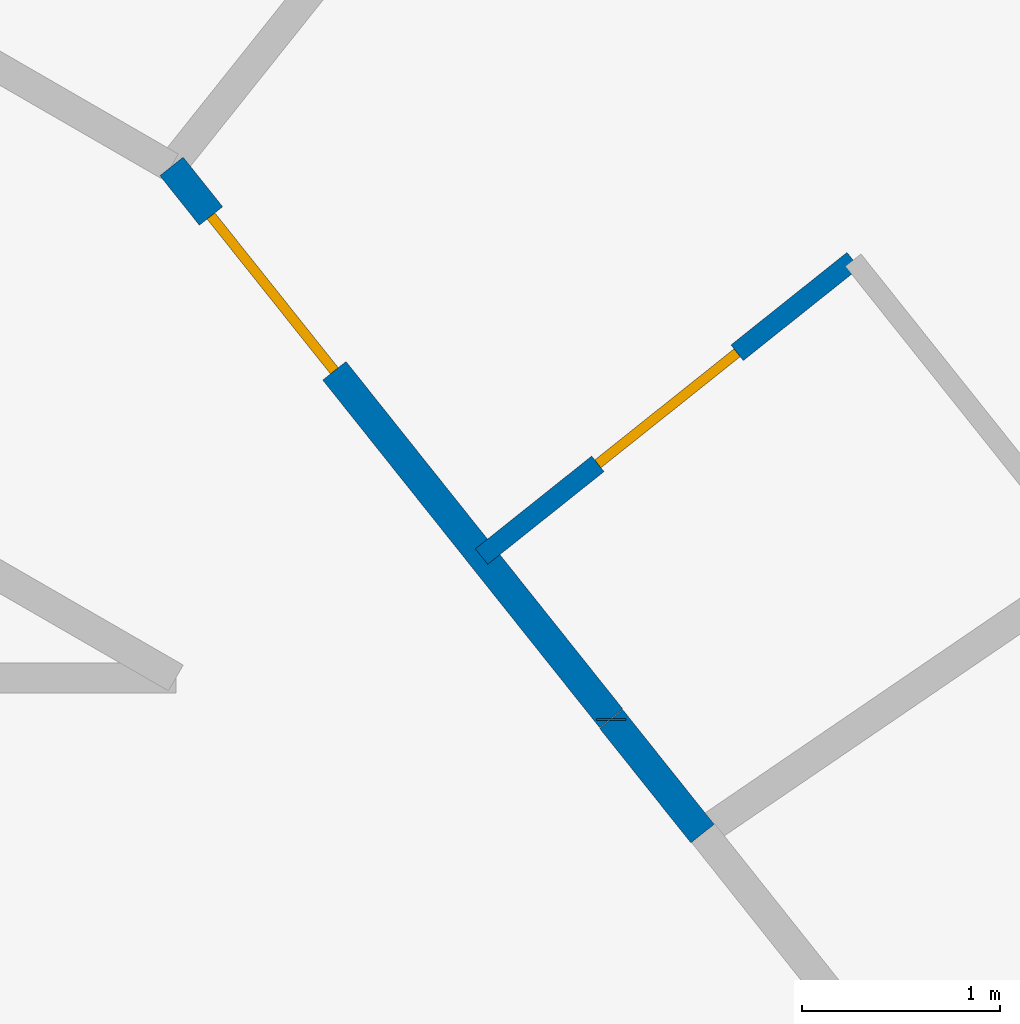
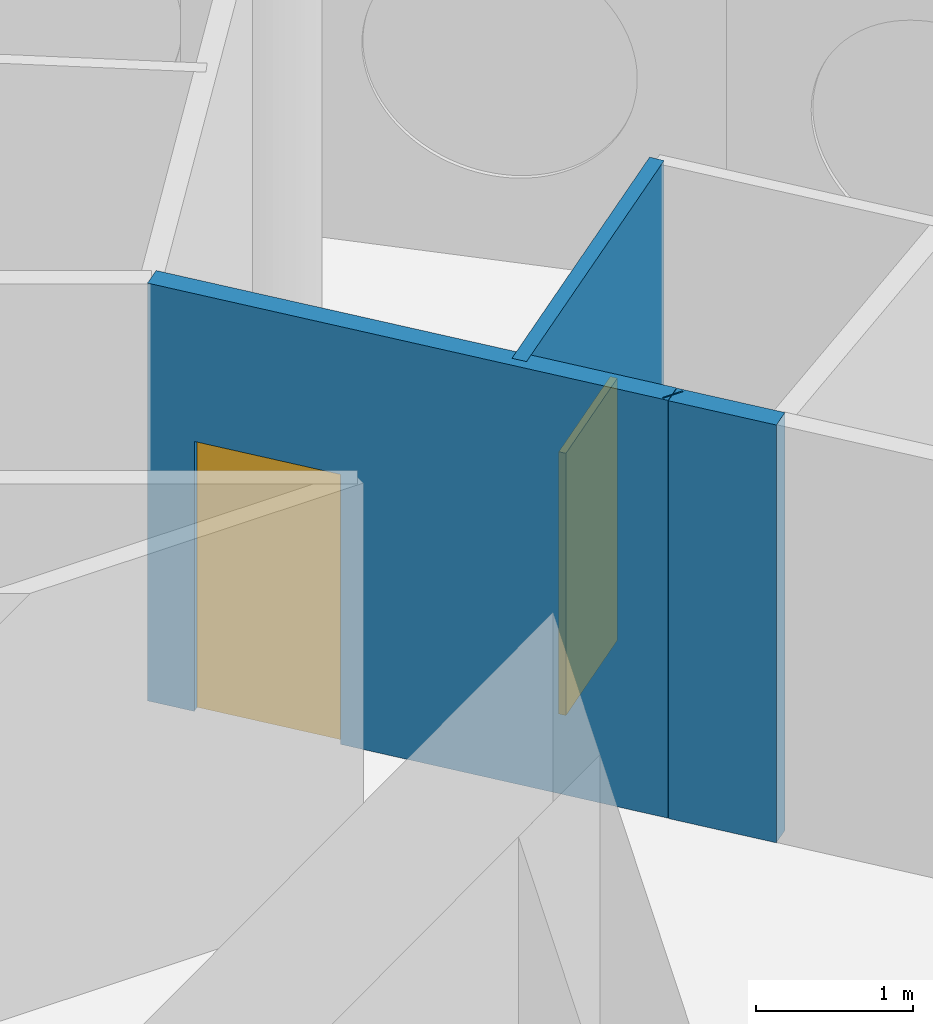
# One storey, part 8 of 12: 4 walls, 2 doors, 2 openings.
"""IFC4 building model written with IfcOpenShell, lengths in metres."""

from ifc_helpers import new_model, si_unit, direction, frame, frame_2d, origin, place, context, subcontext, project, spatial, rectangle, extrude, material, layer, layer_set, type_object, element, fill, save


model = new_model("IFC4")

# Units and contexts
model_context = context("Model", 3, precision=1e-05, world=origin(), true_north=direction((0.0, 1.0)))
body_context = subcontext(model_context, "Body", "Model", "MODEL_VIEW")
ifc_project = project(units=[si_unit("LENGTHUNIT", "METRE"), si_unit("AREAUNIT", "SQUARE_METRE"), si_unit("VOLUMEUNIT", "CUBIC_METRE"), si_unit("PLANEANGLEUNIT", "RADIAN"), si_unit("MASSUNIT", "GRAM", prefix="KILO")], contexts=[model_context])

# Site, building, storey
site_placement = place(None, origin())
site = spatial("IfcSite", under=ifc_project, at=site_placement, CompositionType="ELEMENT")
building_placement = place(site_placement, origin())
building = spatial("IfcBuilding", under=site, at=building_placement, Name="Tracery Tower", CompositionType="ELEMENT")
storey_placement = place(building_placement, frame((0.0, 0.0, 305.39990234375)))
storey = spatial("IfcBuildingStorey", under=building, at=storey_placement, Name="L79", CompositionType="ELEMENT", Elevation=305.39990234375)

# Wall, opening, door
ifc_material_1 = material(Name="Plasterboard on steel studs", Category="steel")
ifc_layer_1 = layer(ifc_material_1, 0.10009765625)
ifc_layer_set_1 = layer_set([ifc_layer_1], Name="Partition 100 wet wall")
wall_type_1 = type_object("IfcWallType", Name="Partition 100 wet wall", PredefinedType="PARTITIONING", material=ifc_layer_set_1)
wall_1_placement = place(storey_placement, frame((10.64501953125, 9.4130859375, 0.0), z_axis=(0.0, 0.0, 1.0), x_axis=(0.781830263661, 0.623491330191, 0.0)))
wall_1 = element("IfcWall", 1, at=wall_1_placement, inside=storey, type_object=wall_type_1, Name="Wet wall RC8-052", PredefinedType="PARTITIONING", context=body_context, shape_type="SweptSolid", body=[
    extrude(rectangle(XDim=2.400634765625, YDim=0.10009765625, at=frame_2d((1.2001953125, 0.0))), origin(), (0.0, 0.0, 1.0), 3.25),
])
opening_1_placement = place(wall_1_placement, frame((0.7509765625, 0.0, 0.0)))
opening_1 = element("IfcOpeningElement", 2, at=opening_1_placement, cuts=wall_1, Name="Opening RC8-08", PredefinedType="OPENING", context=body_context, shape_type="SweptSolid", body=[
    extrude(rectangle(XDim=0.89990234375, YDim=2.0400390625, at=frame_2d((0.449951171875, 1.02001953125))), frame((0.0, 0.050048828125, 0.0), z_axis=(0.0, -1.0, 0.0), x_axis=(1.0, 0.0, 0.0)), (0.0, 0.0, 1.0), 0.10009765625),
])
ifc_material_2 = material(Name="Timber door leaf", Category="wood")
door_type_1 = type_object("IfcDoorType", Name="Door en-suite 900", OperationType="NOTDEFINED", PredefinedType="DOOR", material=ifc_material_2)
door_1_placement = place(opening_1_placement, origin())
door_1 = element("IfcDoor", 3, at=door_1_placement, inside=storey, type_object=door_type_1, Name="En-suite door RC8-08", OperationType="SINGLE_SWING_LEFT", OverallHeight=2.0400390625, OverallWidth=0.89990234375, PredefinedType="DOOR", context=body_context, shape_type="SweptSolid", body=[
    extrude(rectangle(XDim=0.89990234375, YDim=2.0400390625, at=frame_2d((0.449951171875, 1.02001953125))), frame((0.0, 0.02490234375, 0.0), z_axis=(0.0, -1.0, 0.0), x_axis=(1.0, 0.0, 0.0)), (0.0, 0.0, 1.0), 0.050048828125),
])
fill(opening_1, door_1)

ifc_material_3 = material(Name="Plasterboard on steel studs", Category="steel")
ifc_layer_2 = layer(ifc_material_3, 0.14990234375)
ifc_layer_set_2 = layer_set([ifc_layer_2], Name="Partition 150 corridor wall")
wall_type_2 = type_object("IfcWallType", Name="Partition 150 corridor wall", PredefinedType="PARTITIONING", material=ifc_layer_set_2)
wall_2_placement = place(storey_placement, frame((9.0791015625, 11.383544921875, 0.0), z_axis=(0.0, 0.0, 1.0), x_axis=(0.623165080354, -0.782090328944, 0.0)))
wall_2 = element("IfcWall", 4, at=wall_2_placement, inside=storey, type_object=wall_type_2, Name="Corridor wall RC8-005", PredefinedType="PARTITIONING", context=body_context, shape_type="SweptSolid", body=[
    extrude(rectangle(XDim=3.56396484375, YDim=0.14990234375, at=frame_2d((1.781982421875, 0.0))), origin(), (0.0, 0.0, 1.0), 3.25),
])
opening_2_placement = place(wall_2_placement, frame((0.320068359375, 0.0, 0.0)))
opening_2 = element("IfcOpeningElement", 5, at=opening_2_placement, cuts=wall_2, Name="Opening RC8-09", PredefinedType="OPENING", context=body_context, shape_type="SweptSolid", body=[
    extrude(rectangle(XDim=1.0, YDim=2.10009765625, at=frame_2d((0.5, 1.050048828125))), frame((0.0, 0.074951171875, 0.0), z_axis=(0.0, -1.0, 0.0), x_axis=(1.0, 0.0, 0.0)), (0.0, 0.0, 1.0), 0.14990234375),
])
ifc_material_4 = material(Name="Timber door leaf", Category="wood")
door_type_2 = type_object("IfcDoorType", Name="Door unit entrance 1000", OperationType="NOTDEFINED", PredefinedType="DOOR", material=ifc_material_4)
door_2_placement = place(opening_2_placement, origin())
door_2 = element("IfcDoor", 6, at=door_2_placement, inside=storey, type_object=door_type_2, Name="Unit entrance door RC8-09", OperationType="SINGLE_SWING_LEFT", OverallHeight=2.10009765625, OverallWidth=1.0, PredefinedType="DOOR", context=body_context, shape_type="SweptSolid", body=[
    extrude(rectangle(XDim=1.0, YDim=2.10009765625, at=frame_2d((0.5, 1.050048828125))), frame((0.0, 0.02490234375, 0.0), z_axis=(0.0, -1.0, 0.0), x_axis=(1.0, 0.0, 0.0)), (0.0, 0.0, 1.0), 0.050048828125),
])
fill(opening_2, door_2)

# Walls
wall_3_placement = place(storey_placement, frame((11.300048828125, 8.5859375, 0.0), z_axis=(0.0, 0.0, 1.0), x_axis=(0.0, 1.0, 0.0)))
element("IfcWall", 7, at=wall_3_placement, inside=storey, type_object=wall_type_2, Name="Corridor wall RC8-007", PredefinedType="PARTITIONING", context=body_context, shape_type="SweptSolid", body=[
    extrude(rectangle(XDim=0.01025390625, YDim=0.14990234375, at=frame_2d((0.005126953125, 0.0))), origin(), (0.0, 0.0, 1.0), 3.25),
])
wall_4_placement = place(storey_placement, frame((11.300048828125, 8.592041015625, 0.0), z_axis=(0.0, 0.0, 1.0), x_axis=(0.623405636383, -0.781898594785, 0.0)))
element("IfcWall", 8, at=wall_4_placement, inside=storey, type_object=wall_type_2, Name="Corridor wall RC8-022", PredefinedType="PARTITIONING", context=body_context, shape_type="SweptSolid", body=[
    extrude(rectangle(XDim=0.739501953125, YDim=0.14990234375, at=frame_2d((0.36962890625, 0.0))), origin(), (0.0, 0.0, 1.0), 3.25),
])

save(model, "model.ifc")
